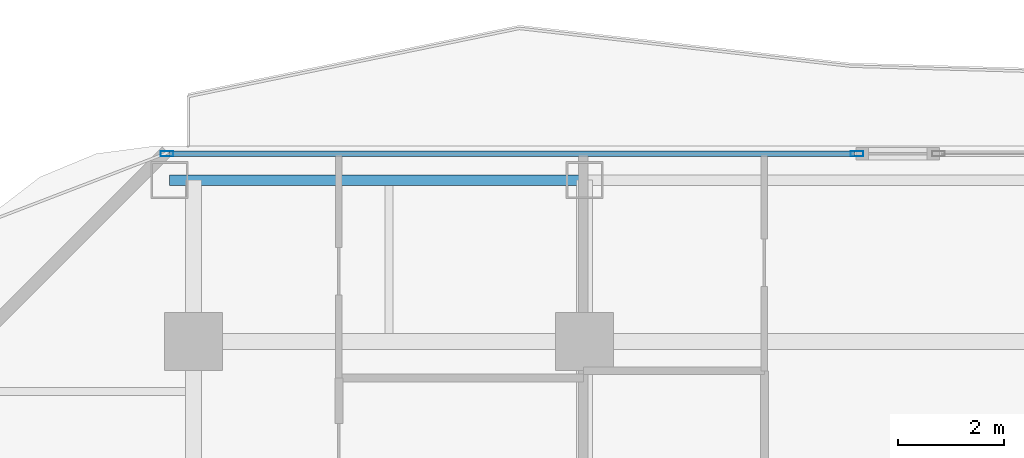
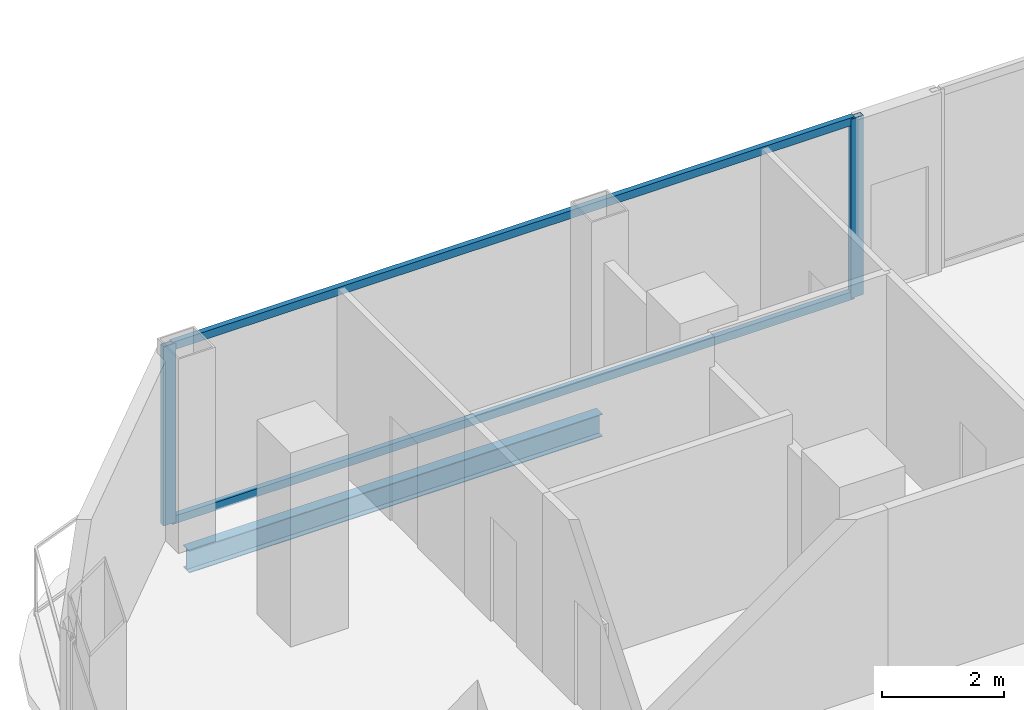
# One storey, part 14 of 27: 4 members, 1 beam, 1 element without a shape of its own.
"""IFC4 building model written with IfcOpenShell, lengths in metres."""

from ifc_helpers import new_model, si_unit, direction, frame, origin, origin_2d, place, context, subcontext, project, spatial, hollow_rectangle, i_section, extrude, material, layer, layer_set, material_profile, profile_set, type_object, element, aggregate, save


model = new_model("IFC4")

# Units and contexts
model_context = context("Model", 3, precision=1e-05, world=origin(), true_north=direction((0.0, 1.0)))
body_context = subcontext(model_context, "Body", "Model", "MODEL_VIEW")
ifc_project = project(units=[si_unit("LENGTHUNIT", "METRE"), si_unit("AREAUNIT", "SQUARE_METRE"), si_unit("VOLUMEUNIT", "CUBIC_METRE"), si_unit("PLANEANGLEUNIT", "RADIAN"), si_unit("MASSUNIT", "GRAM", prefix="KILO")], contexts=[model_context])

# Site, building, storey
site_placement = place(None, origin())
site = spatial("IfcSite", under=ifc_project, at=site_placement, CompositionType="ELEMENT")
building_placement = place(site_placement, origin())
building = spatial("IfcBuilding", under=site, at=building_placement, Name="Khorvyn Point Tower", CompositionType="ELEMENT")
storey_placement = place(building_placement, frame((0.0, 0.0, 152.39990234375)))
storey = spatial("IfcBuildingStorey", under=building, at=storey_placement, Name="L38", CompositionType="ELEMENT", Elevation=152.39990234375)

# Curtain wall, members
ifc_material_1 = material(Name="Anodised aluminium 6063-T6 and laminated Low-E glass", Category="aluminium")
ifc_layer = layer(ifc_material_1, 0.18994140625)
ifc_layer_set = layer_set([ifc_layer], Name="Stick-Built Acoustic Curtain Wall CW-SYS-03")
curtain_wall_type = type_object("IfcCurtainWallType", Name="Stick-Built Acoustic Curtain Wall CW-SYS-03", PredefinedType="NOTDEFINED", material=ifc_layer_set)
curtain_wall_placement = place(storey_placement, origin())
curtain_wall = element("IfcCurtainWall", 1, at=curtain_wall_placement, inside=storey, type_object=curtain_wall_type, Name="Curtain Wall", PredefinedType="NOTDEFINED")
ifc_material_2 = material(Name="Anodised aluminium 6063-T6", Category="aluminium")
ifc_material_profile_1 = material_profile(ifc_material_2, hollow_rectangle(XDim=0.10009765625, YDim=0.239990234375, WallThickness=0.0048828125, at=origin_2d()))
ifc_profile_set_1 = profile_set([ifc_material_profile_1], Name="Anodised aluminium 6063-T6 ALU-MUL-100x240")
member_type_1 = type_object("IfcMemberType", Name="Anodised Aluminium 6063-T6 Mullion ALU-MUL-100x240", PredefinedType="MULLION", material=ifc_profile_set_1)
member_1_placement = place(storey_placement, frame((-15.300048828125, 23.64990234375, 0.0), z_axis=(0.0, 0.0, 1.0), x_axis=(0.0, 1.0, 0.0)))
member_1 = element("IfcMember", 2, at=member_1_placement, type_object=member_type_1, Name="Transom", PredefinedType="MULLION", context=body_context, shape_type="SweptSolid", body=[
    extrude(hollow_rectangle(XDim=0.10009765625, YDim=0.239990234375, WallThickness=0.0048828125, at=origin_2d()), origin(), (0.0, 0.0, 1.0), 3.60009765625),
])
member_2_placement = place(storey_placement, frame((-2.24609375, 23.64990234375, 0.0), z_axis=(0.0, 0.0, 1.0), x_axis=(0.0, 1.0, 0.0)))
member_2 = element("IfcMember", 3, at=member_2_placement, type_object=member_type_1, Name="Transom", PredefinedType="MULLION", context=body_context, shape_type="SweptSolid", body=[
    extrude(hollow_rectangle(XDim=0.10009765625, YDim=0.239990234375, WallThickness=0.0048828125, at=origin_2d()), origin(), (0.0, 0.0, 1.0), 3.60009765625),
])
ifc_material_profile_2 = material_profile(ifc_material_2, hollow_rectangle(XDim=0.10009765625, YDim=0.159912109375, WallThickness=0.00439453125, at=origin_2d()))
ifc_profile_set_2 = profile_set([ifc_material_profile_2], Name="Anodised aluminium 6063-T6 ALU-TRN-100x160")
member_type_2 = type_object("IfcMemberType", Name="Anodised Aluminium 6063-T6 Transom ALU-TRN-100x160", PredefinedType="USERDEFINED", material=ifc_profile_set_2)
member_3_placement = place(storey_placement, frame((-15.25, 23.64990234375, 0.050048828125), z_axis=(1.0, 0.0, 0.0), x_axis=(0.0, 1.0, 0.0)))
member_3 = element("IfcMember", 4, at=member_3_placement, type_object=member_type_2, Name="Transom", ObjectType="TRANSOM", PredefinedType="USERDEFINED", context=body_context, shape_type="SweptSolid", body=[
    extrude(hollow_rectangle(XDim=0.10009765625, YDim=0.159912109375, WallThickness=0.00439453125, at=origin_2d()), origin(), (0.0, 0.0, 1.0), 12.9541015625),
])
member_4_placement = place(storey_placement, frame((-15.25, 23.64990234375, 3.550048828125), z_axis=(1.0, 0.0, 0.0), x_axis=(0.0, 1.0, 0.0)))
member_4 = element("IfcMember", 5, at=member_4_placement, type_object=member_type_2, Name="Transom", ObjectType="TRANSOM", PredefinedType="USERDEFINED", context=body_context, shape_type="SweptSolid", body=[
    extrude(hollow_rectangle(XDim=0.10009765625, YDim=0.159912109375, WallThickness=0.00439453125, at=origin_2d()), origin(), (0.0, 0.0, 1.0), 12.9541015625),
])
aggregate(curtain_wall, [member_1, member_2, member_3, member_4])

# Beam
ifc_material_3 = material(Name="Steel S355", Category="steel")
ifc_material_profile_3 = material_profile(ifc_material_3, i_section(OverallWidth=0.199951171875, OverallDepth=0.449951171875, WebThickness=0.009033203125, FlangeThickness=0.013916015625, at=origin_2d()))
ifc_profile_set_3 = profile_set([ifc_material_profile_3], Name="Steel S355 H450x200x9x14")
beam_type = type_object("IfcBeamType", Name="Steel S355 Spandrel H450x200x9x14", PredefinedType="SPANDREL", material=ifc_profile_set_3)
beam_placement = place(storey_placement, frame((-15.25, 23.14990234375, -0.44482421875), z_axis=(1.0, 0.0, 0.0), x_axis=(0.0, 1.0, 0.0)))
element("IfcBeam", 6, at=beam_placement, inside=storey, type_object=beam_type, Name="Beam", PredefinedType="SPANDREL", context=body_context, shape_type="SweptSolid", body=[
    extrude(i_section(OverallWidth=0.199951171875, OverallDepth=0.449951171875, WebThickness=0.009033203125, FlangeThickness=0.013916015625, at=origin_2d()), origin(), (0.0, 0.0, 1.0), 7.85009765625),
])

save(model, "model.ifc")
